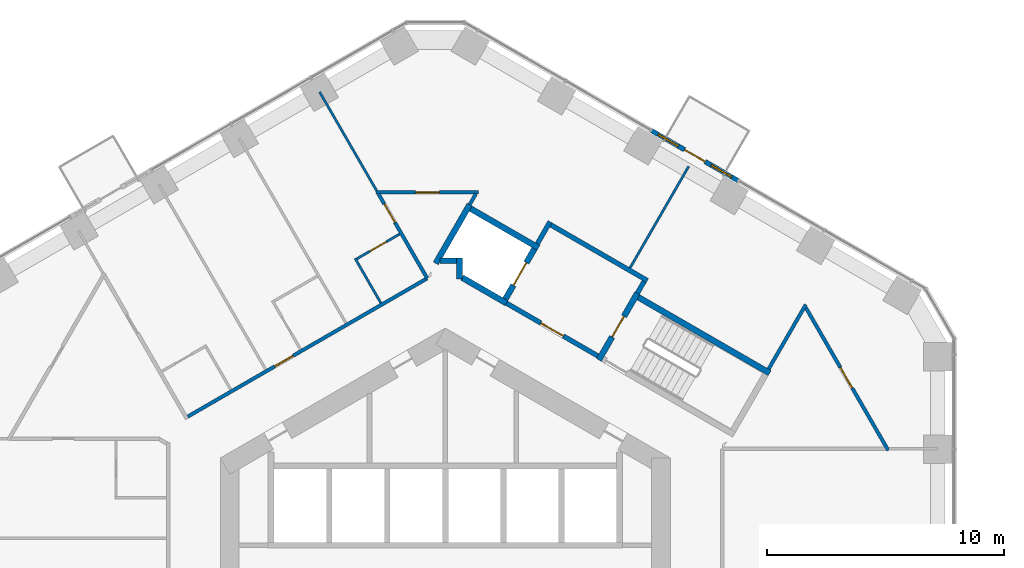
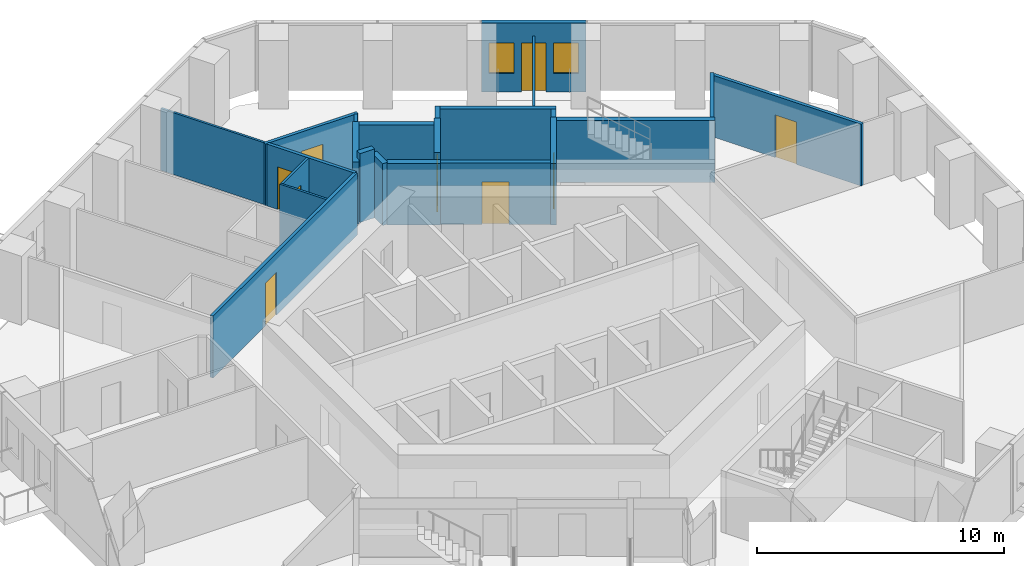
# One storey, part 16 of 20: 23 walls, 9 doors, 2 windows, 11 openings.
"""IFC4 building model written with IfcOpenShell, lengths in metres."""

from ifc_helpers import new_model, si_unit, direction, frame, frame_2d, origin, place, context, subcontext, project, spatial, rectangle, extrude, material, layer, layer_set, type_object, element, fill, save


model = new_model("IFC4")

# Units and contexts
model_context = context("Model", 3, precision=1e-05, world=origin(), true_north=direction((0.0, 1.0)))
body_context = subcontext(model_context, "Body", "Model", "MODEL_VIEW")
ifc_project = project(units=[si_unit("LENGTHUNIT", "METRE"), si_unit("AREAUNIT", "SQUARE_METRE"), si_unit("VOLUMEUNIT", "CUBIC_METRE"), si_unit("PLANEANGLEUNIT", "RADIAN"), si_unit("MASSUNIT", "GRAM", prefix="KILO")], contexts=[model_context])

# Site, building, storey
site_placement = place(None, origin())
site = spatial("IfcSite", under=ifc_project, at=site_placement, CompositionType="ELEMENT")
building_placement = place(site_placement, origin())
building = spatial("IfcBuilding", under=site, at=building_placement, Name="Ayvan Gate Tower", CompositionType="ELEMENT")
storey_placement = place(building_placement, frame((0.0, 0.0, 49.300048828125)))
storey = spatial("IfcBuildingStorey", under=building, at=storey_placement, Name="L12", CompositionType="ELEMENT", Elevation=49.300048828125)

# Wall, openings, door, windows
ifc_material_1 = material(Name="Insulated metal panel wall")
ifc_layer_1 = layer(ifc_material_1, 0.199951171875)
ifc_layer_set_1 = layer_set([ifc_layer_1], Name="Insulated metal panel wall")
wall_type_1 = type_object("IfcWallType", Name="Balcony door wall 200", PredefinedType="SOLIDWALL", material=ifc_layer_set_1)
wall_1_placement = place(storey_placement, frame((12.357421875, 17.19384765625, 0.0), z_axis=(0.0, 0.0, 1.0), x_axis=(-0.865989532063, 0.500062126497, 0.0)))
wall_1 = element("IfcWall", 1, at=wall_1_placement, inside=storey, type_object=wall_type_1, Name="EW:L12:1:2", PredefinedType="SOLIDWALL", context=body_context, shape_type="SweptSolid", body=[
    extrude(rectangle(XDim=4.2099609375, YDim=0.199951171875, at=frame_2d((2.10498046875, 0.0))), origin(), (0.0, 0.0, 1.0), 3.39990234375),
])
opening_1_placement = place(wall_1_placement, frame((1.60498046875, 0.0, 0.0)))
opening_1 = element("IfcOpeningElement", 2, at=opening_1_placement, cuts=wall_1, Name="Opening L12-D91", PredefinedType="OPENING", context=body_context, shape_type="SweptSolid", body=[
    extrude(rectangle(XDim=1.0, YDim=2.39990234375, at=frame_2d((0.5, 1.199951171875))), frame((0.0, 0.10986328125, 0.0), z_axis=(0.0, -1.0, 0.0), x_axis=(1.0, 0.0, 0.0)), (0.0, 0.0, 1.0), 0.219970703125),
])
opening_2_placement = place(wall_1_placement, frame((0.302490234375, 0.0, 0.89990234375)))
opening_2 = element("IfcOpeningElement", 3, at=opening_2_placement, cuts=wall_1, Name="Opening W-B1", PredefinedType="OPENING", context=body_context, shape_type="SweptSolid", body=[
    extrude(rectangle(XDim=1.0, YDim=1.5, at=frame_2d((0.5, 0.75))), frame((0.0, 0.10986328125, 0.0), z_axis=(0.0, -1.0, 0.0), x_axis=(1.0, 0.0, 0.0)), (0.0, 0.0, 1.0), 0.219970703125),
])
opening_3_placement = place(wall_1_placement, frame((2.907470703125, 0.0, 0.89990234375)))
opening_3 = element("IfcOpeningElement", 4, at=opening_3_placement, cuts=wall_1, Name="Opening W-B1", PredefinedType="OPENING", context=body_context, shape_type="SweptSolid", body=[
    extrude(rectangle(XDim=1.0, YDim=1.5, at=frame_2d((0.5, 0.75))), frame((0.0, 0.10986328125, 0.0), z_axis=(0.0, -1.0, 0.0), x_axis=(1.0, 0.0, 0.0)), (0.0, 0.0, 1.0), 0.219970703125),
])
ifc_material_2 = material(Name="Bronze anodised aluminium and clear glass", Category="aluminium")
door_type_1 = type_object("IfcDoorType", Name="Balcony door D-B", OperationType="SINGLE_SWING_RIGHT", PredefinedType="DOOR", material=ifc_material_2)
door_1_placement = place(opening_1_placement, origin())
door_1 = element("IfcDoor", 5, at=door_1_placement, inside=storey, type_object=door_type_1, Name="Balcony door BAL-L12-1", OperationType="SINGLE_SWING_RIGHT", OverallHeight=2.39990234375, OverallWidth=1.0, PredefinedType="DOOR", context=body_context, shape_type="SweptSolid", body=[
    extrude(rectangle(XDim=1.0, YDim=2.39990234375, at=frame_2d((0.5, 1.199951171875))), frame((0.0, 0.02490234375, 0.0), z_axis=(0.0, -1.0, 0.0), x_axis=(1.0, 0.0, 0.0)), (0.0, 0.0, 1.0), 0.050048828125),
])
fill(opening_1, door_1)
window_type = type_object("IfcWindowType", Name="Balcony side light W-B Z1", PartitioningType="SINGLE_PANEL", PredefinedType="WINDOW", material=ifc_material_2)
window_1_placement = place(opening_2_placement, origin())
window_1 = element("IfcWindow", 6, at=window_1_placement, inside=storey, type_object=window_type, Name="Balcony side light BAL-L12-1.1", OverallHeight=1.5, OverallWidth=1.0, PartitioningType="SINGLE_PANEL", PredefinedType="WINDOW", context=body_context, shape_type="SweptSolid", body=[
    extrude(rectangle(XDim=1.0, YDim=1.5, at=frame_2d((0.5, 0.75))), frame((0.0, 0.030029296875, 0.0), z_axis=(0.0, -1.0, 0.0), x_axis=(1.0, 0.0, 0.0)), (0.0, 0.0, 1.0), 0.06005859375),
])
fill(opening_2, window_1)
window_2_placement = place(opening_3_placement, origin())
window_2 = element("IfcWindow", 7, at=window_2_placement, inside=storey, type_object=window_type, Name="Balcony side light BAL-L12-1.2", OverallHeight=1.5, OverallWidth=1.0, PartitioningType="SINGLE_PANEL", PredefinedType="WINDOW", context=body_context, shape_type="SweptSolid", body=[
    extrude(rectangle(XDim=1.0, YDim=1.5, at=frame_2d((0.5, 0.75))), frame((0.0, 0.030029296875, 0.0), z_axis=(0.0, -1.0, 0.0), x_axis=(1.0, 0.0, 0.0)), (0.0, 0.0, 1.0), 0.06005859375),
])
fill(opening_3, window_2)

# Wall, opening, door
ifc_material_3 = material(Name="Plasterboard on steel stud", Category="steel")
ifc_layer_2 = layer(ifc_material_3, 0.14990234375)
ifc_layer_set_2 = layer_set([ifc_layer_2], Name="Plasterboard on steel stud")
wall_type_2 = type_object("IfcWallType", Name="WT-CORR-150", PredefinedType="PARTITIONING", material=ifc_layer_set_2)
wall_2_placement = place(storey_placement, frame((-10.87109375, 7.2333984375, 0.0), z_axis=(0.0, 0.0, 1.0), x_axis=(0.866013843593, 0.500020022305, 0.0)))
wall_2 = element("IfcWall", 8, at=wall_2_placement, inside=storey, type_object=wall_type_2, Name="IW-L12-018", PredefinedType="PARTITIONING", context=body_context, shape_type="SweptSolid", body=[
    extrude(rectangle(XDim=11.6708984375, YDim=0.14990234375, at=frame_2d((5.83544921875, 0.0))), origin(), (0.0, 0.0, 1.0), 3.050048828125),
])
opening_4_placement = place(wall_2_placement, frame((4.240234375, 0.0, 0.0)))
opening_4 = element("IfcOpeningElement", 9, at=opening_4_placement, cuts=wall_2, Name="Opening L12-D30", PredefinedType="OPENING", context=body_context, shape_type="SweptSolid", body=[
    extrude(rectangle(XDim=0.89990234375, YDim=2.10009765625, at=frame_2d((0.449951171875, 1.050048828125))), frame((0.0, 0.0849609375, 0.0), z_axis=(0.0, -1.0, 0.0), x_axis=(1.0, 0.0, 0.0)), (0.0, 0.0, 1.0), 0.169921875),
])
ifc_material_4 = material(Name="Timber door leaf", Category="wood")
door_type_2 = type_object("IfcDoorType", Name="DT-900", OperationType="NOTDEFINED", PredefinedType="DOOR", material=ifc_material_4)
door_2_placement = place(opening_4_placement, origin())
door_2 = element("IfcDoor", 10, at=door_2_placement, inside=storey, type_object=door_type_2, Name="ID-L12-030", OperationType="SINGLE_SWING_RIGHT", OverallHeight=2.10009765625, OverallWidth=0.89990234375, PredefinedType="DOOR", context=body_context, shape_type="SweptSolid", body=[
    extrude(rectangle(XDim=0.89990234375, YDim=2.10009765625, at=frame_2d((0.449951171875, 1.050048828125))), frame((0.0, 0.02490234375, 0.0), z_axis=(0.0, -1.0, 0.0), x_axis=(1.0, 0.0, 0.0)), (0.0, 0.0, 1.0), 0.050048828125),
])
fill(opening_4, door_2)

wall_3_placement = place(storey_placement, frame((-2.93310546875, 16.696044921875, 0.0), z_axis=(0.0, 0.0, 1.0), x_axis=(1.0, 0.0, 0.0)))
wall_3 = element("IfcWall", 11, at=wall_3_placement, inside=storey, type_object=wall_type_2, Name="IW-L12-050", PredefinedType="PARTITIONING", context=body_context, shape_type="SweptSolid", body=[
    extrude(rectangle(XDim=4.333740234375, YDim=0.14990234375, at=frame_2d((2.1669921875, 0.0))), origin(), (0.0, 0.0, 1.0), 3.050048828125),
])
opening_5_placement = place(wall_3_placement, frame((1.68408203125, 0.0, 0.0)))
opening_5 = element("IfcOpeningElement", 12, at=opening_5_placement, cuts=wall_3, Name="Opening L12-D19", PredefinedType="OPENING", context=body_context, shape_type="SweptSolid", body=[
    extrude(rectangle(XDim=1.0, YDim=2.10009765625, at=frame_2d((0.5, 1.050048828125))), frame((0.0, 0.0849609375, 0.0), z_axis=(0.0, -1.0, 0.0), x_axis=(1.0, 0.0, 0.0)), (0.0, 0.0, 1.0), 0.169921875),
])
door_type_3 = type_object("IfcDoorType", Name="DT-1000", OperationType="NOTDEFINED", PredefinedType="DOOR", material=ifc_material_4)
door_3_placement = place(opening_5_placement, origin())
door_3 = element("IfcDoor", 13, at=door_3_placement, inside=storey, type_object=door_type_3, Name="ID-L12-019", OperationType="SINGLE_SWING_LEFT", OverallHeight=2.10009765625, OverallWidth=1.0, PredefinedType="DOOR", context=body_context, shape_type="SweptSolid", body=[
    extrude(rectangle(XDim=1.0, YDim=2.10009765625, at=frame_2d((0.5, 1.050048828125))), frame((0.0, 0.02490234375, 0.0), z_axis=(0.0, -1.0, 0.0), x_axis=(1.0, 0.0, 0.0)), (0.0, 0.0, 1.0), 0.050048828125),
])
fill(opening_5, door_3)

wall_4_placement = place(storey_placement, frame((-2.820556640625, 16.631103515625, 0.0), z_axis=(0.0, 0.0, 1.0), x_axis=(0.500031070095, -0.866007464714, 0.0)))
wall_4 = element("IfcWall", 14, at=wall_4_placement, inside=storey, type_object=wall_type_2, Name="IW-L12-057", PredefinedType="PARTITIONING", context=body_context, shape_type="SweptSolid", body=[
    extrude(rectangle(XDim=4.108642578125, YDim=0.14990234375, at=frame_2d((2.05419921875, 0.0))), origin(), (0.0, 0.0, 1.0), 3.050048828125),
])
opening_6_placement = place(wall_4_placement, frame((0.49169921875, 0.0, 0.0)))
opening_6 = element("IfcOpeningElement", 15, at=opening_6_placement, cuts=wall_4, Name="Opening L12-D28", PredefinedType="OPENING", context=body_context, shape_type="SweptSolid", body=[
    extrude(rectangle(XDim=0.89990234375, YDim=2.10009765625, at=frame_2d((0.449951171875, 1.050048828125))), frame((0.0, 0.0849609375, 0.0), z_axis=(0.0, -1.0, 0.0), x_axis=(1.0, 0.0, 0.0)), (0.0, 0.0, 1.0), 0.169921875),
])
door_4_placement = place(opening_6_placement, origin())
door_4 = element("IfcDoor", 16, at=door_4_placement, inside=storey, type_object=door_type_2, Name="ID-L12-028", OperationType="SINGLE_SWING_RIGHT", OverallHeight=2.10009765625, OverallWidth=0.89990234375, PredefinedType="DOOR", context=body_context, shape_type="SweptSolid", body=[
    extrude(rectangle(XDim=0.89990234375, YDim=2.10009765625, at=frame_2d((0.449951171875, 1.050048828125))), frame((0.0, 0.02490234375, 0.0), z_axis=(0.0, -1.0, 0.0), x_axis=(1.0, 0.0, 0.0)), (0.0, 0.0, 1.0), 0.050048828125),
])
fill(opening_6, door_4)

# Walls
wall_5_placement = place(storey_placement, frame((1.2880859375, 16.631103515625, 0.0), z_axis=(0.0, 0.0, 1.0), x_axis=(-0.499911367677, -0.866076569633, 0.0)))
element("IfcWall", 17, at=wall_5_placement, inside=storey, type_object=wall_type_2, Name="IW-L12-070", PredefinedType="PARTITIONING", context=body_context, shape_type="SweptSolid", body=[
    extrude(rectangle(XDim=0.52197265625, YDim=0.14990234375, at=frame_2d((0.260986328125, 0.0))), origin(), (0.0, 0.0, 1.0), 3.050048828125),
])
wall_6_placement = place(storey_placement, frame((13.647705078125, 9.23876953125, 0.0), z_axis=(0.0, 0.0, 1.0), x_axis=(0.500031717574, 0.86600709086, 0.0)))
element("IfcWall", 18, at=wall_6_placement, inside=storey, type_object=wall_type_2, Name="IW-L12-107", PredefinedType="PARTITIONING", context=body_context, shape_type="SweptSolid", body=[
    extrude(rectangle(XDim=3.143310546875, YDim=0.14990234375, at=frame_2d((1.57177734375, 0.0))), origin(), (0.0, 0.0, 1.0), 3.050048828125),
])

# Wall, opening, door
wall_7_placement = place(storey_placement, frame((15.219482421875, 11.8310546875, 0.0), z_axis=(0.0, 0.0, 1.0), x_axis=(0.50002024234, -0.866013716549, 0.0)))
wall_7 = element("IfcWall", 19, at=wall_7_placement, inside=storey, type_object=wall_type_2, Name="IW-L12-109", PredefinedType="PARTITIONING", context=body_context, shape_type="SweptSolid", body=[
    extrude(rectangle(XDim=6.954833984375, YDim=0.14990234375, at=frame_2d((3.4775390625, 0.0))), origin(), (0.0, 0.0, 1.0), 3.050048828125),
])
opening_7_placement = place(wall_7_placement, frame((2.922607421875, 0.0, 0.0)))
opening_7 = element("IfcOpeningElement", 20, at=opening_7_placement, cuts=wall_7, Name="Opening L12-D18", PredefinedType="OPENING", context=body_context, shape_type="SweptSolid", body=[
    extrude(rectangle(XDim=1.0, YDim=2.10009765625, at=frame_2d((0.5, 1.050048828125))), frame((0.0, 0.0849609375, 0.0), z_axis=(0.0, -1.0, 0.0), x_axis=(1.0, 0.0, 0.0)), (0.0, 0.0, 1.0), 0.169921875),
])
door_5_placement = place(opening_7_placement, origin())
door_5 = element("IfcDoor", 21, at=door_5_placement, inside=storey, type_object=door_type_3, Name="ID-L12-018", OperationType="SINGLE_SWING_RIGHT", OverallHeight=2.10009765625, OverallWidth=1.0, PredefinedType="DOOR", context=body_context, shape_type="SweptSolid", body=[
    extrude(rectangle(XDim=1.0, YDim=2.10009765625, at=frame_2d((0.5, 1.050048828125))), frame((0.0, 0.02490234375, 0.0), z_axis=(0.0, -1.0, 0.0), x_axis=(1.0, 0.0, 0.0)), (0.0, 0.0, 1.0), 0.050048828125),
])
fill(opening_7, door_5)

# Walls
ifc_layer_3 = layer(ifc_material_3, 0.10009765625)
ifc_layer_set_3 = layer_set([ifc_layer_3], Name="Plasterboard on steel stud")
wall_type_3 = type_object("IfcWallType", Name="WT-PART-100", PredefinedType="PARTITIONING", material=ifc_layer_set_3)
wall_8_placement = place(storey_placement, frame((-3.807373046875, 13.909912109375, 0.0), z_axis=(0.0, 0.0, 1.0), x_axis=(0.499978335414, -0.866037911478, 0.0)))
element("IfcWall", 22, at=wall_8_placement, inside=storey, type_object=wall_type_3, Name="IW-L12-047", PredefinedType="PARTITIONING", context=body_context, shape_type="SweptSolid", body=[
    extrude(rectangle(XDim=2.1748046875, YDim=0.10009765625, at=frame_2d((1.08740234375, 0.0))), origin(), (0.0, 0.0, 1.0), 3.050048828125),
])
wall_9_placement = place(storey_placement, frame((-2.8955078125, 16.760986328125, 0.0), z_axis=(0.0, 0.0, 1.0), x_axis=(-0.49998398663, 0.86603464891, 0.0)))
element("IfcWall", 23, at=wall_9_placement, inside=storey, type_object=wall_type_3, Name="IW-L12-049", PredefinedType="PARTITIONING", context=body_context, shape_type="SweptSolid", body=[
    extrude(rectangle(XDim=4.821533203125, YDim=0.10009765625, at=frame_2d((2.41064453125, 0.0))), origin(), (0.0, 0.0, 1.0), 3.050048828125),
])

# Wall, opening, door
wall_10_placement = place(storey_placement, frame((-1.9287109375, 14.936767578125, 0.0), z_axis=(0.0, 0.0, 1.0), x_axis=(-0.866028046028, -0.499995423472, 0.0)))
wall_10 = element("IfcWall", 24, at=wall_10_placement, inside=storey, type_object=wall_type_3, Name="IW-L12-056", PredefinedType="PARTITIONING", context=body_context, shape_type="SweptSolid", body=[
    extrude(rectangle(XDim=2.09033203125, YDim=0.10009765625, at=frame_2d((1.045166015625, 0.0))), origin(), (0.0, 0.0, 1.0), 3.050048828125),
])
opening_8_placement = place(wall_10_placement, frame((0.645263671875, 0.0, 0.0)))
opening_8 = element("IfcOpeningElement", 25, at=opening_8_placement, cuts=wall_10, Name="Opening L12-D29", PredefinedType="OPENING", context=body_context, shape_type="SweptSolid", body=[
    extrude(rectangle(XDim=0.800048828125, YDim=2.10009765625, at=frame_2d((0.39990234375, 1.050048828125))), frame((0.0, 0.06005859375, 0.0), z_axis=(0.0, -1.0, 0.0), x_axis=(1.0, 0.0, 0.0)), (0.0, 0.0, 1.0), 0.1201171875),
])
door_type_4 = type_object("IfcDoorType", Name="DT-800", OperationType="NOTDEFINED", PredefinedType="DOOR", material=ifc_material_4)
door_6_placement = place(opening_8_placement, origin())
door_6 = element("IfcDoor", 26, at=door_6_placement, inside=storey, type_object=door_type_4, Name="ID-L12-029", OperationType="SINGLE_SWING_LEFT", OverallHeight=2.10009765625, OverallWidth=0.800048828125, PredefinedType="DOOR", context=body_context, shape_type="SweptSolid", body=[
    extrude(rectangle(XDim=0.800048828125, YDim=2.10009765625, at=frame_2d((0.39990234375, 1.050048828125))), frame((0.0, 0.02490234375, 0.0), z_axis=(0.0, -1.0, 0.0), x_axis=(1.0, 0.0, 0.0)), (0.0, 0.0, 1.0), 0.050048828125),
])
fill(opening_8, door_6)

# Walls
wall_11_placement = place(storey_placement, frame((7.800048828125, 13.510009765625, 0.0), z_axis=(0.0, 0.0, 1.0), x_axis=(0.500001430823, 0.866024577697, 0.0)))
element("IfcWall", 27, at=wall_11_placement, inside=storey, type_object=wall_type_3, Name="IW-L12-092", PredefinedType="PARTITIONING", context=body_context, shape_type="SweptSolid", body=[
    extrude(rectangle(XDim=4.94921875, YDim=0.10009765625, at=frame_2d((2.474609375, 0.0))), origin(), (0.0, 0.0, 1.0), 3.050048828125),
])
ifc_layer_4 = layer(ifc_material_3, 0.199951171875)
ifc_layer_set_4 = layer_set([ifc_layer_4], Name="Plasterboard on steel stud")
wall_type_4 = type_object("IfcWallType", Name="WT-RATED-200", PredefinedType="PARTITIONING", material=ifc_layer_set_4)
wall_12_placement = place(storey_placement, frame((3.885009765625, 14.52880859375, 0.0), z_axis=(0.0, 0.0, 1.0), x_axis=(0.499997628298, 0.866026773083, 0.0)))
element("IfcWall", 28, at=wall_12_placement, inside=storey, type_object=wall_type_4, Name="IW-L12-080", PredefinedType="PARTITIONING", context=body_context, shape_type="SweptSolid", body=[
    extrude(rectangle(XDim=1.0751953125, YDim=0.199951171875, at=frame_2d((0.53759765625, 0.0))), origin(), (0.0, 0.0, 1.0), 3.050048828125),
])
wall_13_placement = place(storey_placement, frame((4.458984375, 15.323486328125, 0.0), z_axis=(0.0, 0.0, 1.0), x_axis=(0.866016039709, -0.500016218704, 0.0)))
element("IfcWall", 29, at=wall_13_placement, inside=storey, type_object=wall_type_4, Name="IW-L12-081", PredefinedType="PARTITIONING", context=body_context, shape_type="SweptSolid", body=[
    extrude(rectangle(XDim=4.699951171875, YDim=0.199951171875, at=frame_2d((2.35009765625, 0.0))), origin(), (0.0, 0.0, 1.0), 3.050048828125),
])

# Wall, opening, door
wall_14_placement = place(storey_placement, frame((6.4345703125, 9.794921875, 0.0), z_axis=(0.0, 0.0, 1.0), x_axis=(-0.866012907634, 0.500021643343, 0.0)))
wall_14 = element("IfcWall", 30, at=wall_14_placement, inside=storey, type_object=wall_type_4, Name="IW-L12-084", PredefinedType="PARTITIONING", context=body_context, shape_type="SweptSolid", body=[
    extrude(rectangle(XDim=4.449951171875, YDim=0.199951171875, at=frame_2d((2.22509765625, 0.0))), origin(), (0.0, 0.0, 1.0), 3.050048828125),
])
opening_9_placement = place(wall_14_placement, frame((1.675048828125, 0.0, 0.0)))
opening_9 = element("IfcOpeningElement", 31, at=opening_9_placement, cuts=wall_14, Name="Opening L12-D08", PredefinedType="OPENING", context=body_context, shape_type="SweptSolid", body=[
    extrude(rectangle(XDim=1.10009765625, YDim=2.10009765625, at=frame_2d((0.550048828125, 1.050048828125))), frame((0.0, 0.10986328125, 0.0), z_axis=(0.0, -1.0, 0.0), x_axis=(1.0, 0.0, 0.0)), (0.0, 0.0, 1.0), 0.219970703125),
])
door_type_5 = type_object("IfcDoorType", Name="DT-1100", OperationType="NOTDEFINED", PredefinedType="DOOR", material=ifc_material_4)
door_7_placement = place(opening_9_placement, origin())
door_7 = element("IfcDoor", 32, at=door_7_placement, inside=storey, type_object=door_type_5, Name="ID-L12-008", OperationType="SINGLE_SWING_RIGHT", OverallHeight=2.10009765625, OverallWidth=1.10009765625, PredefinedType="DOOR", context=body_context, shape_type="SweptSolid", body=[
    extrude(rectangle(XDim=1.10009765625, YDim=2.10009765625, at=frame_2d((0.550048828125, 1.050048828125))), frame((0.0, 0.02490234375, 0.0), z_axis=(0.0, -1.0, 0.0), x_axis=(1.0, 0.0, 0.0)), (0.0, 0.0, 1.0), 0.050048828125),
])
fill(opening_9, door_7)

# Walls
wall_15_placement = place(storey_placement, frame((8.392822265625, 12.936767578125, 0.0), z_axis=(0.0, 0.0, 1.0), x_axis=(-0.500065409566, -0.86598763626, 0.0)))
element("IfcWall", 33, at=wall_15_placement, inside=storey, type_object=wall_type_4, Name="IW-L12-094", PredefinedType="PARTITIONING", context=body_context, shape_type="SweptSolid", body=[
    extrude(rectangle(XDim=0.5751953125, YDim=0.199951171875, at=frame_2d((0.28759765625, 0.0))), origin(), (0.0, 0.0, 1.0), 3.050048828125),
])
ifc_material_5 = material(Name="Concrete C50/60", Category="concrete")
ifc_layer_5 = layer(ifc_material_5, 0.25)
ifc_layer_set_5 = layer_set([ifc_layer_5], Name="Concrete C50/60")
wall_type_5 = type_object("IfcWallType", Name="WT-RC-250", PredefinedType="SHEAR", material=ifc_layer_set_5)
wall_16_placement = place(storey_placement, frame((-0.403076171875, 13.70166015625, 0.0), z_axis=(0.0, 0.0, 1.0), x_axis=(0.499976111731, 0.866039195244, 0.0)))
element("IfcWall", 34, at=wall_16_placement, inside=storey, type_object=wall_type_5, Name="IW-L12-061", PredefinedType="SHEAR", context=body_context, shape_type="SweptSolid", body=[
    extrude(rectangle(XDim=2.860595703125, YDim=0.25, at=frame_2d((1.43017578125, 0.0))), origin(), (0.0, 0.0, 1.0), 3.050048828125),
])
wall_17_placement = place(storey_placement, frame((0.60009765625, 13.03857421875, 0.0), z_axis=(0.0, 0.0, 1.0), x_axis=(0.0, 1.0, 0.0)))
element("IfcWall", 35, at=wall_17_placement, inside=storey, type_object=wall_type_5, Name="IW-L12-066", PredefinedType="SHEAR", context=body_context, shape_type="SweptSolid", body=[
    extrude(rectangle(XDim=0.896484375, YDim=0.25, at=frame_2d((0.4482421875, 0.0))), origin(), (0.0, 0.0, 1.0), 3.050048828125),
])
wall_18_placement = place(storey_placement, frame((0.47509765625, 13.81005859375, 0.0), z_axis=(0.0, 0.0, 1.0), x_axis=(-1.0, 0.0, 0.0)))
element("IfcWall", 36, at=wall_18_placement, inside=storey, type_object=wall_type_5, Name="IW-L12-067", PredefinedType="SHEAR", context=body_context, shape_type="SweptSolid", body=[
    extrude(rectangle(XDim=0.690673828125, YDim=0.25, at=frame_2d((0.34521484375, 0.0))), origin(), (0.0, 0.0, 1.0), 3.39990234375),
])
wall_19_placement = place(storey_placement, frame((1.072998046875, 16.00830078125, 0.0), z_axis=(0.0, 0.0, 1.0), x_axis=(0.866040211805, -0.499974350878, 0.0)))
element("IfcWall", 37, at=wall_19_placement, inside=storey, type_object=wall_type_5, Name="IW-L12-069", PredefinedType="SHEAR", context=body_context, shape_type="SweptSolid", body=[
    extrude(rectangle(XDim=3.300048828125, YDim=0.25, at=frame_2d((1.64990234375, 0.0))), origin(), (0.0, 0.0, 1.0), 3.050048828125),
])
wall_20_placement = place(storey_placement, frame((2.580810546875, 12.02001953125, 0.0), z_axis=(0.0, 0.0, 1.0), x_axis=(-0.86603892542, 0.499976579108, 0.0)))
element("IfcWall", 38, at=wall_20_placement, inside=storey, type_object=wall_type_5, Name="IW-L12-074", PredefinedType="SHEAR", context=body_context, shape_type="SweptSolid", body=[
    extrude(rectangle(XDim=2.162109375, YDim=0.25, at=frame_2d((1.0810546875, 0.0))), origin(), (0.0, 0.0, 1.0), 3.050048828125),
])

# Wall, opening, door
wall_21_placement = place(storey_placement, frame((2.534912109375, 12.19091796875, 0.0), z_axis=(0.0, 0.0, 1.0), x_axis=(0.500061746146, 0.865989751695, 0.0)))
wall_21 = element("IfcWall", 39, at=wall_21_placement, inside=storey, type_object=wall_type_5, Name="IW-L12-075", PredefinedType="SHEAR", context=body_context, shape_type="SweptSolid", body=[
    extrude(rectangle(XDim=2.449951171875, YDim=0.25, at=frame_2d((1.22509765625, 0.0))), origin(), (0.0, 0.0, 1.0), 3.39990234375),
])
opening_10_placement = place(wall_21_placement, frame((0.675048828125, 0.0, 0.0)))
opening_10 = element("IfcOpeningElement", 40, at=opening_10_placement, cuts=wall_21, Name="Opening L12-LD-FF1", PredefinedType="OPENING", context=body_context, shape_type="SweptSolid", body=[
    extrude(rectangle(XDim=1.10009765625, YDim=2.10009765625, at=frame_2d((0.550048828125, 1.050048828125))), frame((0.0, 0.135009765625, 0.0), z_axis=(0.0, -1.0, 0.0), x_axis=(1.0, 0.0, 0.0)), (0.0, 0.0, 1.0), 0.27001953125),
])
ifc_material_6 = material(Name="Stainless steel landing door", Category="steel")
door_type_6 = type_object("IfcDoorType", Name="DT-LANDING-1100", OperationType="SLIDING_TO_LEFT", PredefinedType="DOOR", material=ifc_material_6)
door_8_placement = place(opening_10_placement, origin())
door_8 = element("IfcDoor", 41, at=door_8_placement, inside=storey, type_object=door_type_6, Name="ID-L12-009", OperationType="SLIDING_TO_LEFT", OverallHeight=2.10009765625, OverallWidth=1.10009765625, PredefinedType="DOOR", context=body_context, shape_type="SweptSolid", body=[
    extrude(rectangle(XDim=1.10009765625, YDim=2.10009765625, at=frame_2d((0.550048828125, 1.050048828125))), frame((0.0, 0.02490234375, 0.0), z_axis=(0.0, -1.0, 0.0), x_axis=(1.0, 0.0, 0.0)), (0.0, 0.0, 1.0), 0.050048828125),
])
fill(opening_10, door_8)

wall_22_placement = place(storey_placement, frame((6.480224609375, 9.624267578125, 0.0), z_axis=(0.0, 0.0, 1.0), x_axis=(0.500017246033, 0.866015446554, 0.0)))
wall_22 = element("IfcWall", 42, at=wall_22_placement, inside=storey, type_object=wall_type_5, Name="IW-L12-085", PredefinedType="SHEAR", context=body_context, shape_type="SweptSolid", body=[
    extrude(rectangle(XDim=3.25, YDim=0.25, at=frame_2d((1.625, 0.0))), origin(), (0.0, 0.0, 1.0), 3.050048828125),
])
opening_11_placement = place(wall_22_placement, frame((1.125, 0.0, 0.0)))
opening_11 = element("IfcOpeningElement", 43, at=opening_11_placement, cuts=wall_22, Name="Opening L12-D07", PredefinedType="OPENING", context=body_context, shape_type="SweptSolid", body=[
    extrude(rectangle(XDim=1.0, YDim=2.10009765625, at=frame_2d((0.5, 1.050048828125))), frame((0.0, 0.135009765625, 0.0), z_axis=(0.0, -1.0, 0.0), x_axis=(1.0, 0.0, 0.0)), (0.0, 0.0, 1.0), 0.27001953125),
])
door_9_placement = place(opening_11_placement, origin())
door_9 = element("IfcDoor", 44, at=door_9_placement, inside=storey, type_object=door_type_3, Name="ID-L12-007", OperationType="SINGLE_SWING_LEFT", OverallHeight=2.10009765625, OverallWidth=1.0, PredefinedType="DOOR", context=body_context, shape_type="SweptSolid", body=[
    extrude(rectangle(XDim=1.0, YDim=2.10009765625, at=frame_2d((0.5, 1.050048828125))), frame((0.0, 0.02490234375, 0.0), z_axis=(0.0, -1.0, 0.0), x_axis=(1.0, 0.0, 0.0)), (0.0, 0.0, 1.0), 0.050048828125),
])
fill(opening_11, door_9)

# Wall
wall_23_placement = place(storey_placement, frame((8.151123046875, 12.26806640625, 0.0), z_axis=(0.0, 0.0, 1.0), x_axis=(0.866025499775, -0.499999833739, 0.0)))
element("IfcWall", 45, at=wall_23_placement, inside=storey, type_object=wall_type_5, Name="IW-L12-093", PredefinedType="SHEAR", context=body_context, shape_type="SweptSolid", body=[
    extrude(rectangle(XDim=6.39990234375, YDim=0.25, at=frame_2d((3.199951171875, 0.0))), origin(), (0.0, 0.0, 1.0), 3.050048828125),
])

save(model, "model.ifc")
